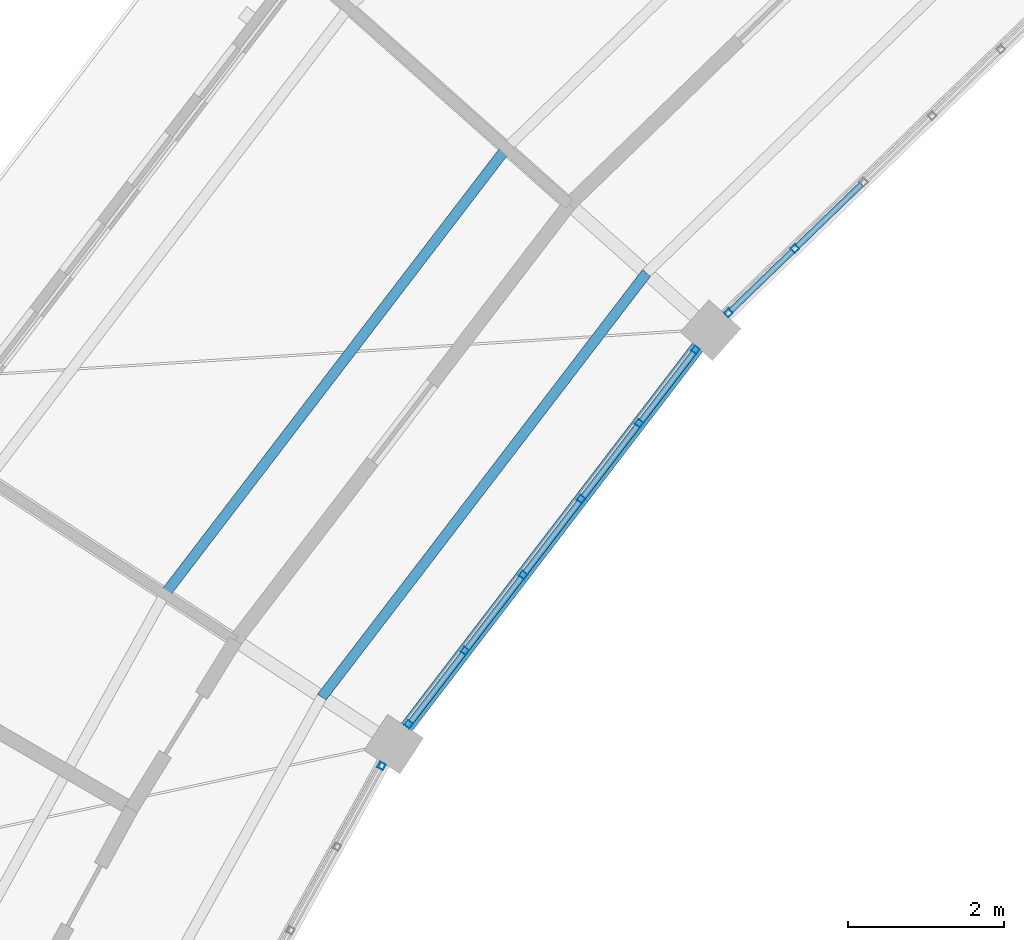
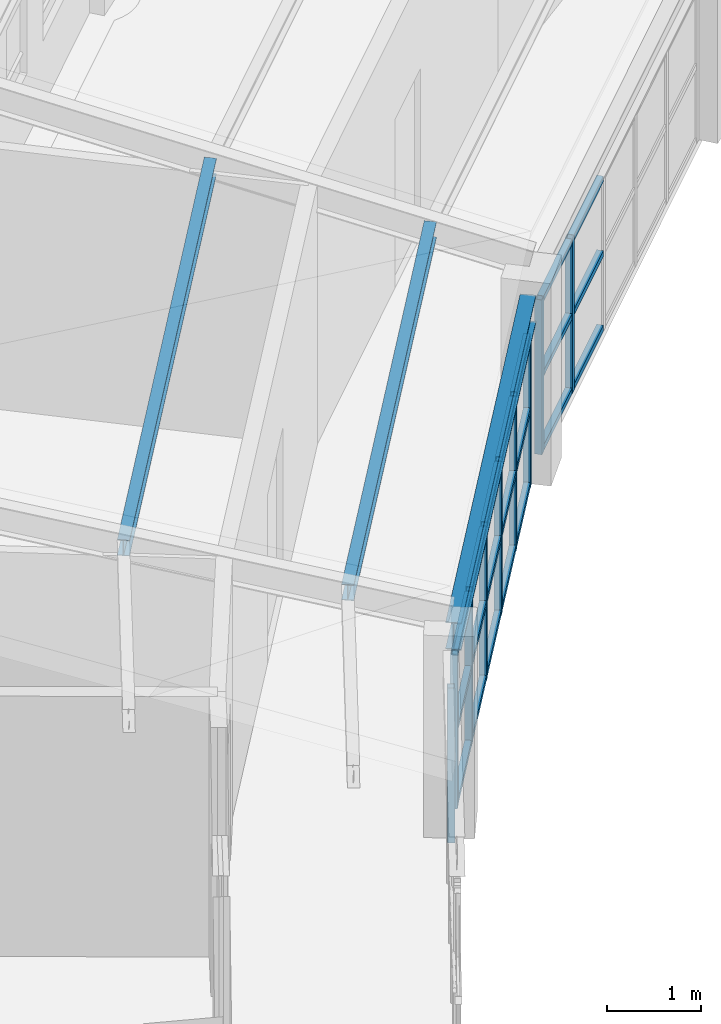
# One storey, part 70 of 149: 32 members, 1 beam, 3 elements without a shape of their own.
"""IFC4 building model written with IfcOpenShell, lengths in metres."""

from ifc_helpers import new_model, si_unit, direction, frame, origin, origin_2d, place, context, subcontext, project, spatial, hollow_rectangle, i_section, extrude, material, material_profile, profile_set, type_object, element, aggregate, save


model = new_model("IFC4")

# Units and contexts
model_context = context("Model", 3, precision=1e-05, world=origin(), true_north=direction((0.0, 1.0)))
body_context = subcontext(model_context, "Body", "Model", "MODEL_VIEW")
ifc_project = project(units=[si_unit("LENGTHUNIT", "METRE"), si_unit("AREAUNIT", "SQUARE_METRE"), si_unit("VOLUMEUNIT", "CUBIC_METRE"), si_unit("PLANEANGLEUNIT", "RADIAN"), si_unit("MASSUNIT", "GRAM", prefix="KILO")], contexts=[model_context])

# Site, building, storey
site_placement = place(None, origin())
site = spatial("IfcSite", under=ifc_project, at=site_placement, CompositionType="ELEMENT")
building_placement = place(site_placement, origin())
building = spatial("IfcBuilding", under=site, at=building_placement, Name="Celadon Cloister-Ring School", CompositionType="ELEMENT")
storey_placement = place(building_placement, frame((0.0, 0.0, 12.5)))
storey = spatial("IfcBuildingStorey", under=building, at=storey_placement, Name="L03", CompositionType="ELEMENT", Elevation=12.5)

# Curtain wall, members
ifc_material_1 = material(Name="Aluminium EN AW-6063 T6", Category="aluminium")
curtain_wall_type = type_object("IfcCurtainWallType", Name="CW-02", PredefinedType="USERDEFINED", material=ifc_material_1)
curtain_wall_1_placement = place(storey_placement, origin())
curtain_wall_1 = element("IfcCurtainWall", 1, at=curtain_wall_1_placement, inside=storey, type_object=curtain_wall_type, Name="Curtain Wall 0045", ObjectType="CURTAIN WALL", PredefinedType="USERDEFINED")
ifc_material_2 = material(Name="Aluminium EN AW-6063 T6", Category="aluminium")
ifc_material_profile_1 = material_profile(ifc_material_2, hollow_rectangle(XDim=0.080078125, YDim=0.080078125, WallThickness=0.00390625, at=origin_2d()), Name="RHS80X80X4")
ifc_profile_set_1 = profile_set([ifc_material_profile_1], Name="Aluminium EN AW-6063 T6")
member_type_1 = type_object("IfcMemberType", Name="CM-03", PredefinedType="MULLION", material=ifc_profile_set_1)
member_1_placement = place(storey_placement, frame((54.472900390625, 89.9716796875, 0.0), z_axis=(0.0, 0.0, 1.0), x_axis=(0.695473229624, -0.718552007078, 0.0)))
member_1 = element("IfcMember", 2, at=member_1_placement, type_object=member_type_1, Name="CW-02 mullion 5", PredefinedType="MULLION", context=body_context, shape_type="SweptSolid", body=[
    extrude(hollow_rectangle(XDim=0.080078125, YDim=0.080078125, WallThickness=0.00390625, at=origin_2d()), origin(), (0.0, 0.0, 1.0), 2.02001953125),
])
member_2_placement = place(storey_placement, frame((53.623779296875, 89.14990234375, 0.0), z_axis=(0.0, 0.0, 1.0), x_axis=(0.695473229624, -0.718552007078, 0.0)))
member_2 = element("IfcMember", 3, at=member_2_placement, type_object=member_type_1, Name="CW-02 mullion 6", PredefinedType="MULLION", context=body_context, shape_type="SweptSolid", body=[
    extrude(hollow_rectangle(XDim=0.080078125, YDim=0.080078125, WallThickness=0.00390625, at=origin_2d()), origin(), (0.0, 0.0, 1.0), 2.02001953125),
])

curtain_wall_2_placement = place(storey_placement, origin())
curtain_wall_2 = element("IfcCurtainWall", 4, at=curtain_wall_2_placement, inside=storey, type_object=curtain_wall_type, Name="Curtain Wall 0046", ObjectType="CURTAIN WALL", PredefinedType="USERDEFINED")
member_3_placement = place(storey_placement, frame((53.20166015625, 88.67529296875, 0.0), z_axis=(0.0, 0.0, 1.0), x_axis=(0.793930253825, -0.608008842091, 0.0)))
member_3 = element("IfcMember", 5, at=member_3_placement, type_object=member_type_1, Name="CW-02 mullion 1", PredefinedType="MULLION", context=body_context, shape_type="SweptSolid", body=[
    extrude(hollow_rectangle(XDim=0.080078125, YDim=0.080078125, WallThickness=0.00390625, at=origin_2d()), origin(), (0.0, 0.0, 1.0), 2.02001953125),
])
member_4_placement = place(storey_placement, frame((52.48291015625, 87.73681640625, 0.0), z_axis=(0.0, 0.0, 1.0), x_axis=(0.793930253825, -0.608008842091, 0.0)))
member_4 = element("IfcMember", 6, at=member_4_placement, type_object=member_type_1, Name="CW-02 mullion 2", PredefinedType="MULLION", context=body_context, shape_type="SweptSolid", body=[
    extrude(hollow_rectangle(XDim=0.080078125, YDim=0.080078125, WallThickness=0.00390625, at=origin_2d()), origin(), (0.0, 0.0, 1.0), 2.02001953125),
])
member_5_placement = place(storey_placement, frame((51.739990234375, 86.7666015625, 0.0), z_axis=(0.0, 0.0, 1.0), x_axis=(0.793930253825, -0.608008842091, 0.0)))
member_5 = element("IfcMember", 7, at=member_5_placement, type_object=member_type_1, Name="CW-02 mullion 3", PredefinedType="MULLION", context=body_context, shape_type="SweptSolid", body=[
    extrude(hollow_rectangle(XDim=0.080078125, YDim=0.080078125, WallThickness=0.00390625, at=origin_2d()), origin(), (0.0, 0.0, 1.0), 2.02001953125),
])
member_6_placement = place(storey_placement, frame((50.9970703125, 85.79638671875, 0.0), z_axis=(0.0, 0.0, 1.0), x_axis=(0.793930253825, -0.608008842091, 0.0)))
member_6 = element("IfcMember", 8, at=member_6_placement, type_object=member_type_1, Name="CW-02 mullion 4", PredefinedType="MULLION", context=body_context, shape_type="SweptSolid", body=[
    extrude(hollow_rectangle(XDim=0.080078125, YDim=0.080078125, WallThickness=0.00390625, at=origin_2d()), origin(), (0.0, 0.0, 1.0), 2.02001953125),
])
member_7_placement = place(storey_placement, frame((50.25390625, 84.826171875, 0.0), z_axis=(0.0, 0.0, 1.0), x_axis=(0.793930253825, -0.608008842091, 0.0)))
member_7 = element("IfcMember", 9, at=member_7_placement, type_object=member_type_1, Name="CW-02 mullion 5", PredefinedType="MULLION", context=body_context, shape_type="SweptSolid", body=[
    extrude(hollow_rectangle(XDim=0.080078125, YDim=0.080078125, WallThickness=0.00390625, at=origin_2d()), origin(), (0.0, 0.0, 1.0), 2.02001953125),
])
member_8_placement = place(storey_placement, frame((49.535400390625, 83.8876953125, 0.0), z_axis=(0.0, 0.0, 1.0), x_axis=(0.793930253825, -0.608008842091, 0.0)))
member_8 = element("IfcMember", 10, at=member_8_placement, type_object=member_type_1, Name="CW-02 mullion 6", PredefinedType="MULLION", context=body_context, shape_type="SweptSolid", body=[
    extrude(hollow_rectangle(XDim=0.080078125, YDim=0.080078125, WallThickness=0.00390625, at=origin_2d()), origin(), (0.0, 0.0, 1.0), 2.02001953125),
])

# Curtain wall, member
curtain_wall_3_placement = place(storey_placement, origin())
curtain_wall_3 = element("IfcCurtainWall", 11, at=curtain_wall_3_placement, inside=storey, type_object=curtain_wall_type, Name="Curtain Wall 0047", ObjectType="CURTAIN WALL", PredefinedType="USERDEFINED")
member_9_placement = place(storey_placement, frame((49.187744140625, 83.35595703125, 0.0), z_axis=(0.0, 0.0, 1.0), x_axis=(0.875128442804, -0.483890699018, 0.0)))
member_9 = element("IfcMember", 12, at=member_9_placement, type_object=member_type_1, Name="CW-02 mullion 1", PredefinedType="MULLION", context=body_context, shape_type="SweptSolid", body=[
    extrude(hollow_rectangle(XDim=0.080078125, YDim=0.080078125, WallThickness=0.00390625, at=origin_2d()), origin(), (0.0, 0.0, 1.0), 2.02001953125),
])
aggregate(curtain_wall_3, [member_9])

# Member
ifc_material_3 = material(Name="Aluminium EN AW-6063 T6", Category="aluminium")
ifc_material_profile_2 = material_profile(ifc_material_3, hollow_rectangle(XDim=0.074951171875, YDim=0.074951171875, WallThickness=0.00390625, at=origin_2d()), Name="RHS75X75X4")
ifc_profile_set_2 = profile_set([ifc_material_profile_2], Name="Aluminium EN AW-6063 T6")
member_type_2 = type_object("IfcMemberType", Name="CTM-03", PredefinedType="USERDEFINED", material=ifc_profile_set_2)
member_10_placement = place(storey_placement, frame((55.322265625, 90.793701171875, 0.03759765625), z_axis=(-0.718557336857, -0.695467722938, 0.0), x_axis=(0.695467722938, -0.718557336857, 0.0)))
member_10 = element("IfcMember", 13, at=member_10_placement, type_object=member_type_2, Name="CW-02 transom 4.1", ObjectType="TRANSOM", PredefinedType="USERDEFINED", context=body_context, shape_type="SweptSolid", body=[
    extrude(hollow_rectangle(XDim=0.074951171875, YDim=0.074951171875, WallThickness=0.00390625, at=origin_2d()), origin(), (0.0, 0.0, 1.0), 1.141845703125),
])

member_11_placement = place(storey_placement, frame((55.322265625, 90.793701171875, 1.010009765625), z_axis=(-0.718557336857, -0.695467722938, 0.0), x_axis=(0.695467722938, -0.718557336857, 0.0)))
member_11 = element("IfcMember", 14, at=member_11_placement, type_object=member_type_2, Name="CW-02 transom 4.2", ObjectType="TRANSOM", PredefinedType="USERDEFINED", context=body_context, shape_type="SweptSolid", body=[
    extrude(hollow_rectangle(XDim=0.074951171875, YDim=0.074951171875, WallThickness=0.00390625, at=origin_2d()), origin(), (0.0, 0.0, 1.0), 1.141845703125),
])

member_12_placement = place(storey_placement, frame((55.322265625, 90.793701171875, 1.982421875), z_axis=(-0.718557336857, -0.695467722938, 0.0), x_axis=(0.695467722938, -0.718557336857, 0.0)))
member_12 = element("IfcMember", 15, at=member_12_placement, type_object=member_type_2, Name="CW-02 transom 4.3", ObjectType="TRANSOM", PredefinedType="USERDEFINED", context=body_context, shape_type="SweptSolid", body=[
    extrude(hollow_rectangle(XDim=0.074951171875, YDim=0.074951171875, WallThickness=0.00390625, at=origin_2d()), origin(), (0.0, 0.0, 1.0), 1.141845703125),
])

member_13_placement = place(storey_placement, frame((54.4443359375, 89.944091796875, 0.03759765625), z_axis=(-0.718534275975, -0.695491548654, 0.0), x_axis=(0.695491548654, -0.718534275975, 0.0)))
member_13 = element("IfcMember", 16, at=member_13_placement, type_object=member_type_2, Name="CW-02 transom 5.1", ObjectType="TRANSOM", PredefinedType="USERDEFINED", context=body_context, shape_type="SweptSolid", body=[
    extrude(hollow_rectangle(XDim=0.074951171875, YDim=0.074951171875, WallThickness=0.00390625, at=origin_2d()), origin(), (0.0, 0.0, 1.0), 1.101806640625),
])

member_14_placement = place(storey_placement, frame((54.4443359375, 89.944091796875, 1.010009765625), z_axis=(-0.718534275975, -0.695491548654, 0.0), x_axis=(0.695491548654, -0.718534275975, 0.0)))
member_14 = element("IfcMember", 17, at=member_14_placement, type_object=member_type_2, Name="CW-02 transom 5.2", ObjectType="TRANSOM", PredefinedType="USERDEFINED", context=body_context, shape_type="SweptSolid", body=[
    extrude(hollow_rectangle(XDim=0.074951171875, YDim=0.074951171875, WallThickness=0.00390625, at=origin_2d()), origin(), (0.0, 0.0, 1.0), 1.101806640625),
])

member_15_placement = place(storey_placement, frame((54.4443359375, 89.944091796875, 1.982421875), z_axis=(-0.718534275975, -0.695491548654, 0.0), x_axis=(0.695491548654, -0.718534275975, 0.0)))
member_15 = element("IfcMember", 18, at=member_15_placement, type_object=member_type_2, Name="CW-02 transom 5.3", ObjectType="TRANSOM", PredefinedType="USERDEFINED", context=body_context, shape_type="SweptSolid", body=[
    extrude(hollow_rectangle(XDim=0.074951171875, YDim=0.074951171875, WallThickness=0.00390625, at=origin_2d()), origin(), (0.0, 0.0, 1.0), 1.101806640625),
])

aggregate(curtain_wall_1, [member_1, member_2, member_10, member_11, member_12, member_13, member_14, member_15])

member_16_placement = place(storey_placement, frame((53.17724609375, 88.6435546875, 0.03759765625), z_axis=(-0.607910502717, -0.794005554569, 0.0), x_axis=(0.794005554569, -0.607910502717, 0.0)))
member_16 = element("IfcMember", 19, at=member_16_placement, type_object=member_type_2, Name="CW-02 transom 1.1", ObjectType="TRANSOM", PredefinedType="USERDEFINED", context=body_context, shape_type="SweptSolid", body=[
    extrude(hollow_rectangle(XDim=0.074951171875, YDim=0.074951171875, WallThickness=0.00390625, at=origin_2d()), origin(), (0.0, 0.0, 1.0), 1.10205078125),
])

member_17_placement = place(storey_placement, frame((53.17724609375, 88.6435546875, 1.010009765625), z_axis=(-0.607910502717, -0.794005554569, 0.0), x_axis=(0.794005554569, -0.607910502717, 0.0)))
member_17 = element("IfcMember", 20, at=member_17_placement, type_object=member_type_2, Name="CW-02 transom 1.2", ObjectType="TRANSOM", PredefinedType="USERDEFINED", context=body_context, shape_type="SweptSolid", body=[
    extrude(hollow_rectangle(XDim=0.074951171875, YDim=0.074951171875, WallThickness=0.00390625, at=origin_2d()), origin(), (0.0, 0.0, 1.0), 1.10205078125),
])

member_18_placement = place(storey_placement, frame((53.17724609375, 88.6435546875, 1.982421875), z_axis=(-0.607910502717, -0.794005554569, 0.0), x_axis=(0.794005554569, -0.607910502717, 0.0)))
member_18 = element("IfcMember", 21, at=member_18_placement, type_object=member_type_2, Name="CW-02 transom 1.3", ObjectType="TRANSOM", PredefinedType="USERDEFINED", context=body_context, shape_type="SweptSolid", body=[
    extrude(hollow_rectangle(XDim=0.074951171875, YDim=0.074951171875, WallThickness=0.00390625, at=origin_2d()), origin(), (0.0, 0.0, 1.0), 1.10205078125),
])

member_19_placement = place(storey_placement, frame((52.458740234375, 87.705078125, 0.03759765625), z_axis=(-0.607973675545, -0.793957183886, 0.0), x_axis=(0.793957183886, -0.607973675545, 0.0)))
member_19 = element("IfcMember", 22, at=member_19_placement, type_object=member_type_2, Name="CW-02 transom 2.1", ObjectType="TRANSOM", PredefinedType="USERDEFINED", context=body_context, shape_type="SweptSolid", body=[
    extrude(hollow_rectangle(XDim=0.074951171875, YDim=0.074951171875, WallThickness=0.00390625, at=origin_2d()), origin(), (0.0, 0.0, 1.0), 1.14208984375),
])

member_20_placement = place(storey_placement, frame((52.458740234375, 87.705078125, 1.010009765625), z_axis=(-0.607973675545, -0.793957183886, 0.0), x_axis=(0.793957183886, -0.607973675545, 0.0)))
member_20 = element("IfcMember", 23, at=member_20_placement, type_object=member_type_2, Name="CW-02 transom 2.2", ObjectType="TRANSOM", PredefinedType="USERDEFINED", context=body_context, shape_type="SweptSolid", body=[
    extrude(hollow_rectangle(XDim=0.074951171875, YDim=0.074951171875, WallThickness=0.00390625, at=origin_2d()), origin(), (0.0, 0.0, 1.0), 1.14208984375),
])

member_21_placement = place(storey_placement, frame((52.458740234375, 87.705078125, 1.982421875), z_axis=(-0.607973675545, -0.793957183886, 0.0), x_axis=(0.793957183886, -0.607973675545, 0.0)))
member_21 = element("IfcMember", 24, at=member_21_placement, type_object=member_type_2, Name="CW-02 transom 2.3", ObjectType="TRANSOM", PredefinedType="USERDEFINED", context=body_context, shape_type="SweptSolid", body=[
    extrude(hollow_rectangle(XDim=0.074951171875, YDim=0.074951171875, WallThickness=0.00390625, at=origin_2d()), origin(), (0.0, 0.0, 1.0), 1.14208984375),
])

member_22_placement = place(storey_placement, frame((51.715576171875, 86.73486328125, 0.03759765625), z_axis=(-0.607973675545, -0.793957183886, 0.0), x_axis=(0.793957183886, -0.607973675545, 0.0)))
member_22 = element("IfcMember", 25, at=member_22_placement, type_object=member_type_2, Name="CW-02 transom 3.1", ObjectType="TRANSOM", PredefinedType="USERDEFINED", context=body_context, shape_type="SweptSolid", body=[
    extrude(hollow_rectangle(XDim=0.074951171875, YDim=0.074951171875, WallThickness=0.00390625, at=origin_2d()), origin(), (0.0, 0.0, 1.0), 1.14208984375),
])

member_23_placement = place(storey_placement, frame((51.715576171875, 86.73486328125, 1.010009765625), z_axis=(-0.607973675545, -0.793957183886, 0.0), x_axis=(0.793957183886, -0.607973675545, 0.0)))
member_23 = element("IfcMember", 26, at=member_23_placement, type_object=member_type_2, Name="CW-02 transom 3.2", ObjectType="TRANSOM", PredefinedType="USERDEFINED", context=body_context, shape_type="SweptSolid", body=[
    extrude(hollow_rectangle(XDim=0.074951171875, YDim=0.074951171875, WallThickness=0.00390625, at=origin_2d()), origin(), (0.0, 0.0, 1.0), 1.14208984375),
])

member_24_placement = place(storey_placement, frame((51.715576171875, 86.73486328125, 1.982421875), z_axis=(-0.607973675545, -0.793957183886, 0.0), x_axis=(0.793957183886, -0.607973675545, 0.0)))
member_24 = element("IfcMember", 27, at=member_24_placement, type_object=member_type_2, Name="CW-02 transom 3.3", ObjectType="TRANSOM", PredefinedType="USERDEFINED", context=body_context, shape_type="SweptSolid", body=[
    extrude(hollow_rectangle(XDim=0.074951171875, YDim=0.074951171875, WallThickness=0.00390625, at=origin_2d()), origin(), (0.0, 0.0, 1.0), 1.14208984375),
])

member_25_placement = place(storey_placement, frame((50.97265625, 85.7646484375, 0.03759765625), z_axis=(-0.607973675545, -0.793957183886, 0.0), x_axis=(0.793957183886, -0.607973675545, 0.0)))
member_25 = element("IfcMember", 28, at=member_25_placement, type_object=member_type_2, Name="CW-02 transom 4.1", ObjectType="TRANSOM", PredefinedType="USERDEFINED", context=body_context, shape_type="SweptSolid", body=[
    extrude(hollow_rectangle(XDim=0.074951171875, YDim=0.074951171875, WallThickness=0.00390625, at=origin_2d()), origin(), (0.0, 0.0, 1.0), 1.14208984375),
])

member_26_placement = place(storey_placement, frame((50.97265625, 85.7646484375, 1.010009765625), z_axis=(-0.607973675545, -0.793957183886, 0.0), x_axis=(0.793957183886, -0.607973675545, 0.0)))
member_26 = element("IfcMember", 29, at=member_26_placement, type_object=member_type_2, Name="CW-02 transom 4.2", ObjectType="TRANSOM", PredefinedType="USERDEFINED", context=body_context, shape_type="SweptSolid", body=[
    extrude(hollow_rectangle(XDim=0.074951171875, YDim=0.074951171875, WallThickness=0.00390625, at=origin_2d()), origin(), (0.0, 0.0, 1.0), 1.14208984375),
])

member_27_placement = place(storey_placement, frame((50.97265625, 85.7646484375, 1.982421875), z_axis=(-0.607973675545, -0.793957183886, 0.0), x_axis=(0.793957183886, -0.607973675545, 0.0)))
member_27 = element("IfcMember", 30, at=member_27_placement, type_object=member_type_2, Name="CW-02 transom 4.3", ObjectType="TRANSOM", PredefinedType="USERDEFINED", context=body_context, shape_type="SweptSolid", body=[
    extrude(hollow_rectangle(XDim=0.074951171875, YDim=0.074951171875, WallThickness=0.00390625, at=origin_2d()), origin(), (0.0, 0.0, 1.0), 1.14208984375),
])

member_28_placement = place(storey_placement, frame((50.229736328125, 84.79443359375, 0.03759765625), z_axis=(-0.608050144339, -0.793898621972, 0.0), x_axis=(0.793898621972, -0.608050144339, 0.0)))
member_28 = element("IfcMember", 31, at=member_28_placement, type_object=member_type_2, Name="CW-02 transom 5.1", ObjectType="TRANSOM", PredefinedType="USERDEFINED", context=body_context, shape_type="SweptSolid", body=[
    extrude(hollow_rectangle(XDim=0.074951171875, YDim=0.074951171875, WallThickness=0.00390625, at=origin_2d()), origin(), (0.0, 0.0, 1.0), 1.10205078125),
])

member_29_placement = place(storey_placement, frame((50.229736328125, 84.79443359375, 1.010009765625), z_axis=(-0.608050144339, -0.793898621972, 0.0), x_axis=(0.793898621972, -0.608050144339, 0.0)))
member_29 = element("IfcMember", 32, at=member_29_placement, type_object=member_type_2, Name="CW-02 transom 5.2", ObjectType="TRANSOM", PredefinedType="USERDEFINED", context=body_context, shape_type="SweptSolid", body=[
    extrude(hollow_rectangle(XDim=0.074951171875, YDim=0.074951171875, WallThickness=0.00390625, at=origin_2d()), origin(), (0.0, 0.0, 1.0), 1.10205078125),
])

member_30_placement = place(storey_placement, frame((50.229736328125, 84.79443359375, 1.982421875), z_axis=(-0.608050144339, -0.793898621972, 0.0), x_axis=(0.793898621972, -0.608050144339, 0.0)))
member_30 = element("IfcMember", 33, at=member_30_placement, type_object=member_type_2, Name="CW-02 transom 5.3", ObjectType="TRANSOM", PredefinedType="USERDEFINED", context=body_context, shape_type="SweptSolid", body=[
    extrude(hollow_rectangle(XDim=0.074951171875, YDim=0.074951171875, WallThickness=0.00390625, at=origin_2d()), origin(), (0.0, 0.0, 1.0), 1.10205078125),
])

aggregate(curtain_wall_2, [member_3, member_4, member_5, member_6, member_7, member_8, member_16, member_17, member_18, member_19, member_20, member_21, member_22, member_23, member_24, member_25, member_26, member_27, member_28, member_29, member_30])

# Beam
ifc_material_4 = material(Name="Structural steel S355JR", Category="steel")
ifc_material_profile_3 = material_profile(ifc_material_4, i_section(OverallWidth=0.1708984375, OverallDepth=0.35498046875, WebThickness=0.007080078125, FlangeThickness=0.01171875, at=origin_2d()), Name="W360X51")
ifc_profile_set_3 = profile_set([ifc_material_profile_3], Name="Structural steel S355JR")
beam_type = type_object("IfcBeamType", Name="GT-08", PredefinedType="USERDEFINED", material=ifc_profile_set_3)
beam_placement = place(storey_placement, frame((53.242919921875, 88.72998046875, 2.27197265625), z_axis=(-0.607887885185, -0.794022870606, 0.0), x_axis=(0.794022870606, -0.607887885185, 0.0)))
element("IfcBeam", 34, at=beam_placement, inside=storey, type_object=beam_type, Name="Beam 0529", ObjectType="GIRDER", PredefinedType="USERDEFINED", context=body_context, shape_type="SweptSolid", body=[
    extrude(i_section(OverallWidth=0.1708984375, OverallDepth=0.35498046875, WebThickness=0.007080078125, FlangeThickness=0.01171875, at=origin_2d()), origin(), (0.0, 0.0, 1.0), 6.167236328125),
])

# Members
ifc_material_5 = material(Name="Structural steel S355JR", Category="steel")
ifc_material_profile_4 = material_profile(ifc_material_5, i_section(OverallWidth=0.133056640625, OverallDepth=0.20703125, WebThickness=0.005859375, FlangeThickness=0.00830078125, at=origin_2d()), Name="W200X27")
ifc_profile_set_4 = profile_set([ifc_material_profile_4], Name="Structural steel S355JR")
member_type_3 = type_object("IfcMemberType", Name="MP-04", PredefinedType="PURLIN", material=ifc_profile_set_4)
member_31_placement = place(storey_placement, frame((52.573974609375, 89.659912109375, 2.970947265625), z_axis=(-0.607909094194, -0.794006632967, 0.0), x_axis=(0.794006632967, -0.607909094194, 0.0)))
element("IfcMember", 35, at=member_31_placement, inside=storey, type_object=member_type_3, Name="Structural Member 0086", PredefinedType="PURLIN", context=body_context, shape_type="SweptSolid", body=[
    extrude(i_section(OverallWidth=0.133056640625, OverallDepth=0.20703125, WebThickness=0.005859375, FlangeThickness=0.00830078125, at=origin_2d()), origin(), (0.0, 0.0, 1.0), 6.829833984375),
])
member_32_placement = place(storey_placement, frame((50.781005859375, 91.256103515625, 3.4599609375), z_axis=(-0.607907825024, -0.794007604671, 0.0), x_axis=(0.794007604671, -0.607907825024, 0.0)))
element("IfcMember", 36, at=member_32_placement, inside=storey, type_object=member_type_3, Name="Structural Member 0087", PredefinedType="PURLIN", context=body_context, shape_type="SweptSolid", body=[
    extrude(i_section(OverallWidth=0.133056640625, OverallDepth=0.20703125, WebThickness=0.005859375, FlangeThickness=0.00830078125, at=origin_2d()), origin(), (0.0, 0.0, 1.0), 7.18505859375),
])

save(model, "model.ifc")
